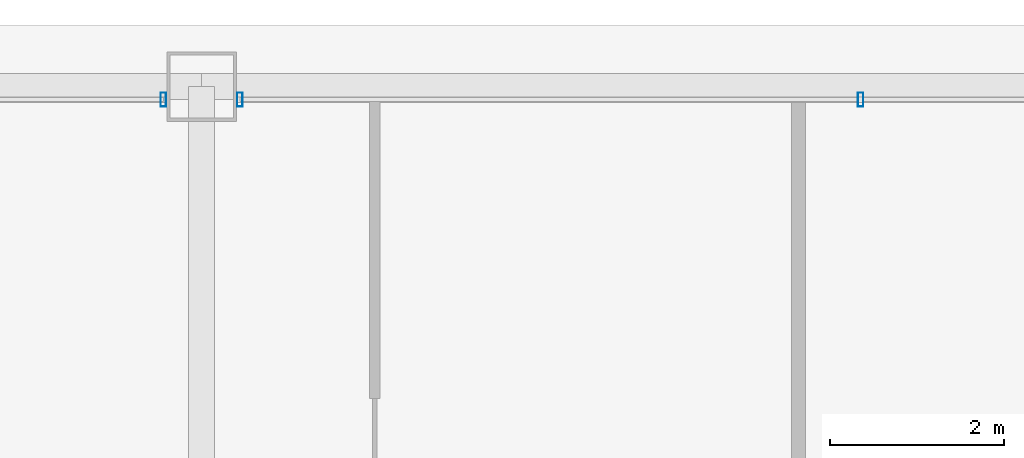
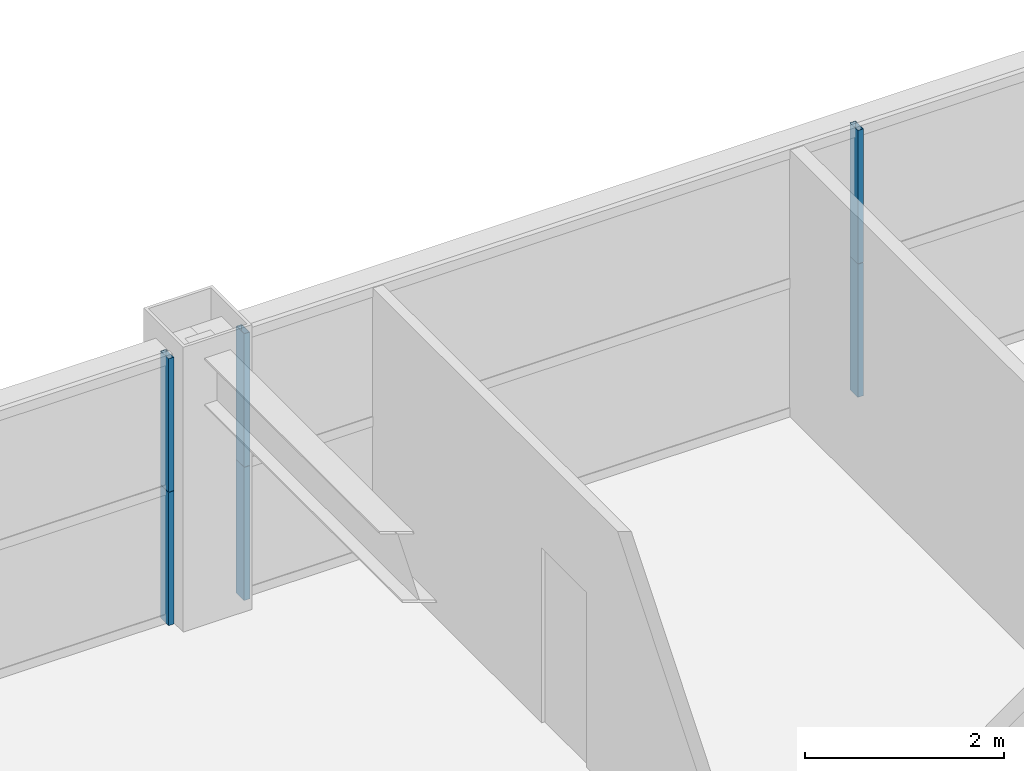
# One storey, part 29 of 38: 6 members, 2 elements without a shape of their own.
"""IFC4 building model written with IfcOpenShell, lengths in metres."""

from ifc_helpers import new_model, si_unit, direction, frame, origin, origin_2d, place, context, subcontext, project, spatial, hollow_rectangle, extrude, source, transform, mapped, material, layer, layer_set, material_profile, profile_set, type_object, element, aggregate, save


model = new_model("IFC4")

# Units and contexts
model_context = context("Model", 3, precision=1e-05, world=origin(), true_north=direction((0.0, 1.0)))
body_context = subcontext(model_context, "Body", "Model", "MODEL_VIEW")
ifc_project = project(units=[si_unit("LENGTHUNIT", "METRE"), si_unit("AREAUNIT", "SQUARE_METRE"), si_unit("VOLUMEUNIT", "CUBIC_METRE"), si_unit("PLANEANGLEUNIT", "RADIAN"), si_unit("MASSUNIT", "GRAM", prefix="KILO"), si_unit("THERMODYNAMICTEMPERATUREUNIT", "KELVIN"), si_unit("POWERUNIT", "WATT")], contexts=[model_context])

# Site, building, storey
site_placement = place(None, origin())
site = spatial("IfcSite", under=ifc_project, at=site_placement, CompositionType="ELEMENT")
building_placement = place(site_placement, origin())
building = spatial("IfcBuilding", under=site, at=building_placement, Name="Yuzanri Waterfront Tower", CompositionType="ELEMENT")
storey_placement = place(building_placement, frame((0.0, 0.0, 202.0)))
storey = spatial("IfcBuildingStorey", under=building, at=storey_placement, Name="L53", CompositionType="ELEMENT", Elevation=202.0)

# Curtain wall, members
ifc_material_1 = material(Name="Anodized Architectural Bronze", Category="metal")
ifc_layer = layer(ifc_material_1, 0.159912109375)
ifc_layer_set = layer_set([ifc_layer], Name="Anodized Architectural Bronze")
curtain_wall_type = type_object("IfcCurtainWallType", Name="Anodized Bronze Mid-Rise Residential Acoustic Unitized Curtain Wall 7200", PredefinedType="NOTDEFINED", material=ifc_layer_set)
curtain_wall_1_placement = place(storey_placement, origin())
curtain_wall_1 = element("IfcCurtainWall", 1, at=curtain_wall_1_placement, inside=storey, type_object=curtain_wall_type, Name="L53 Curtain Wall CW-L53-NL", PredefinedType="NOTDEFINED")
ifc_material_2 = material(Name="Anodized Architectural Bronze", Category="metal")
ifc_material_profile = material_profile(ifc_material_2, hollow_rectangle(XDim=0.06494140625, YDim=0.159912109375, WallThickness=0.00341796875, at=origin_2d()), Name="CWM 65x160")
ifc_profile_set = profile_set([ifc_material_profile], Name="Anodized Architectural Bronze")
member_type = type_object("IfcMemberType", Name="Anodized Bronze Upper-Zone Curtain-Wall Mullion 65x160", PredefinedType="MULLION", material=ifc_profile_set)
shared_shape = source(origin(), body_context, "Body", "SweptSolid", [
    extrude(hollow_rectangle(XDim=0.06494140625, YDim=0.159912109375, WallThickness=0.00341796875, at=origin_2d()), origin(), (0.0, 0.0, 1.0), 1.637939453125),
])
member_1_placement = place(storey_placement, frame((36.56005859375, 47.75, 0.0), z_axis=(0.0, 0.0, 1.0), x_axis=(1.0, 0.0, 0.0)))
member_1 = element("IfcMember", 2, at=member_1_placement, type_object=member_type, Name="CW-L53-NL Lower Mullion 02", PredefinedType="MULLION", context=body_context, shape_type="MappedRepresentation", body=[
    mapped(shared_shape, transform((0.0, 0.0, 0.0), scale=1.0)),
])
member_2_placement = place(storey_placement, frame((36.56005859375, 47.75, 1.64208984375), z_axis=(0.0, 0.0, 1.0), x_axis=(1.0, 0.0, 0.0)))
member_2 = element("IfcMember", 3, at=member_2_placement, type_object=member_type, Name="CW-L53-NL Upper Mullion 02", PredefinedType="MULLION", context=body_context, shape_type="MappedRepresentation", body=[
    mapped(shared_shape, transform((0.0, 0.0, 0.0), scale=1.0)),
])
aggregate(curtain_wall_1, [member_1, member_2])

curtain_wall_2_placement = place(storey_placement, origin())
curtain_wall_2 = element("IfcCurtainWall", 4, at=curtain_wall_2_placement, inside=storey, type_object=curtain_wall_type, Name="L53 Curtain Wall CW-L53-NR", PredefinedType="NOTDEFINED")
member_3_placement = place(storey_placement, frame((37.43994140625, 47.75, 0.0), z_axis=(0.0, 0.0, 1.0), x_axis=(1.0, 0.0, 0.0)))
member_3 = element("IfcMember", 5, at=member_3_placement, type_object=member_type, Name="CW-L53-NR Lower Mullion 00", PredefinedType="MULLION", context=body_context, shape_type="MappedRepresentation", body=[
    mapped(shared_shape, transform((0.0, 0.0, 0.0), scale=1.0)),
])
member_4_placement = place(storey_placement, frame((37.43994140625, 47.75, 1.64208984375), z_axis=(0.0, 0.0, 1.0), x_axis=(1.0, 0.0, 0.0)))
member_4 = element("IfcMember", 6, at=member_4_placement, type_object=member_type, Name="CW-L53-NR Upper Mullion 00", PredefinedType="MULLION", context=body_context, shape_type="MappedRepresentation", body=[
    mapped(shared_shape, transform((0.0, 0.0, 0.0), scale=1.0)),
])
member_5_placement = place(storey_placement, frame((44.574951171875, 47.75, 0.0), z_axis=(0.0, 0.0, 1.0), x_axis=(1.0, 0.0, 0.0)))
member_5 = element("IfcMember", 7, at=member_5_placement, type_object=member_type, Name="CW-L53-NR Lower Mullion 01", PredefinedType="MULLION", context=body_context, shape_type="MappedRepresentation", body=[
    mapped(shared_shape, transform((0.0, 0.0, 0.0), scale=1.0)),
])
member_6_placement = place(storey_placement, frame((44.574951171875, 47.75, 1.64208984375), z_axis=(0.0, 0.0, 1.0), x_axis=(1.0, 0.0, 0.0)))
member_6 = element("IfcMember", 8, at=member_6_placement, type_object=member_type, Name="CW-L53-NR Upper Mullion 01", PredefinedType="MULLION", context=body_context, shape_type="MappedRepresentation", body=[
    mapped(shared_shape, transform((0.0, 0.0, 0.0), scale=1.0)),
])
aggregate(curtain_wall_2, [member_3, member_4, member_5, member_6])

save(model, "model.ifc")
